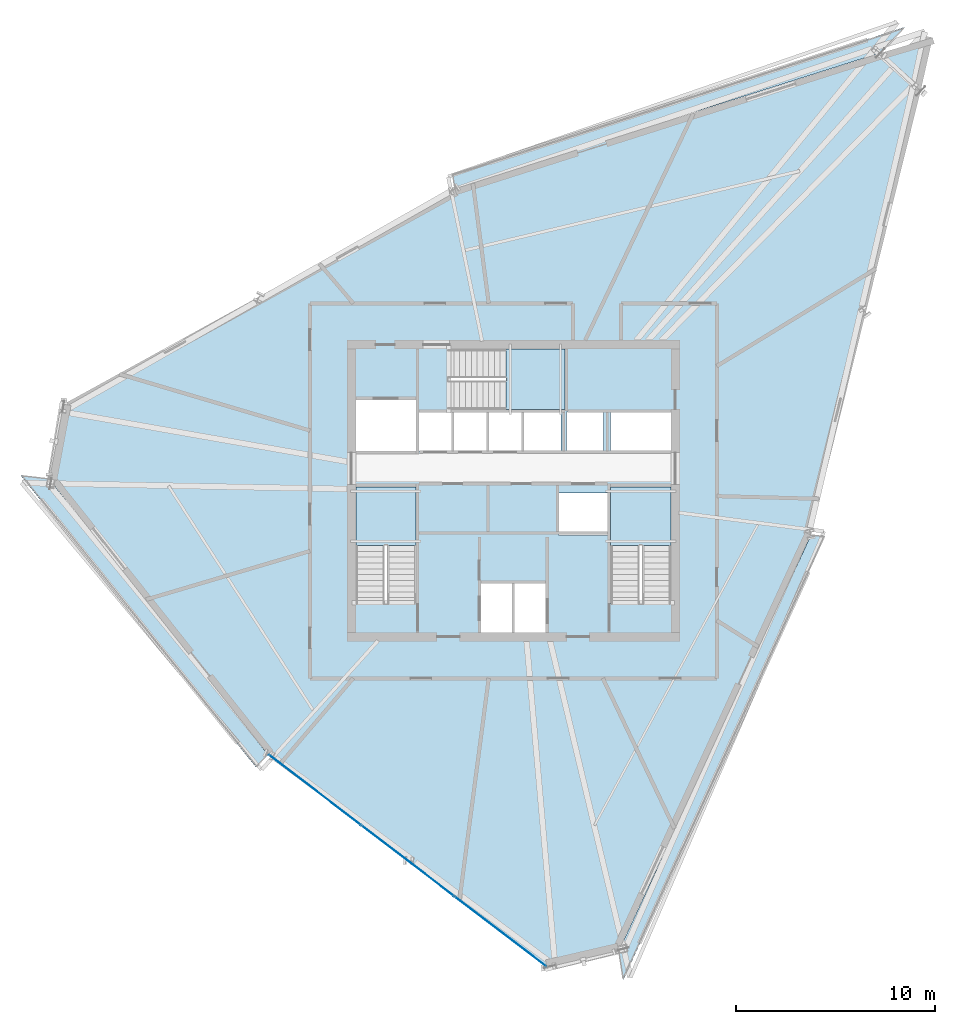
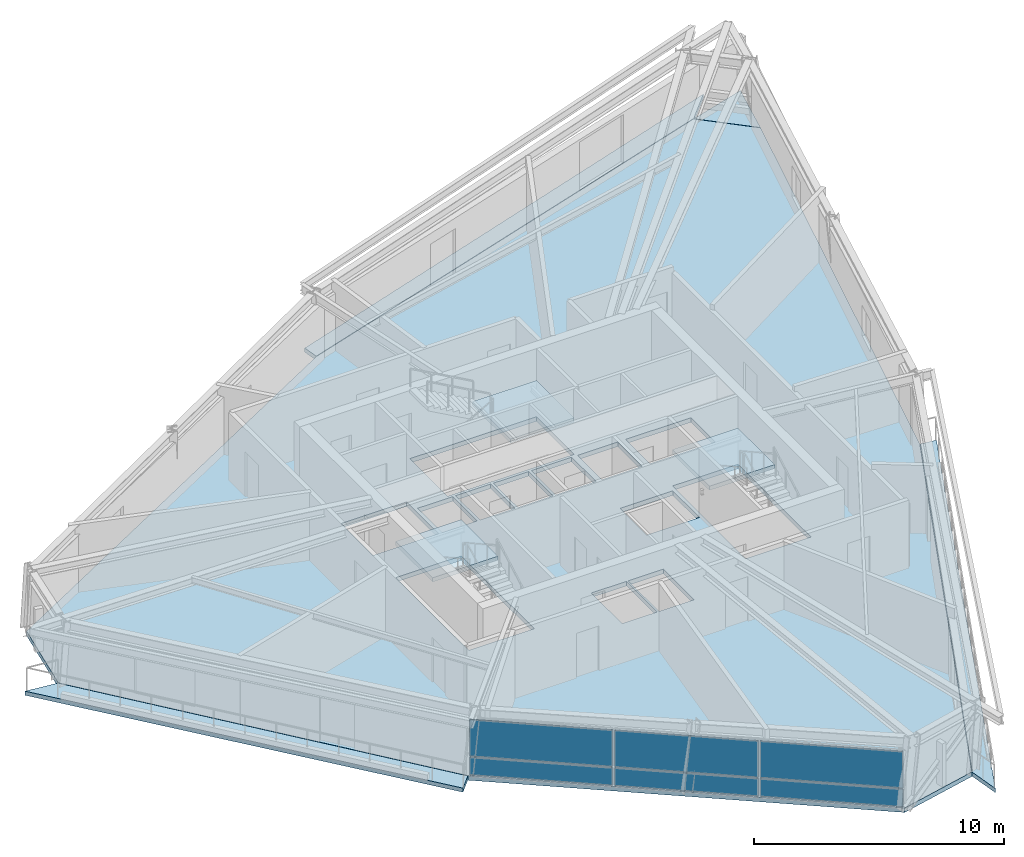
# One storey, part 5 of 13: 8 slabs, 6 plates, 4 elements without a shape of their own.
"""IFC4 building model written with IfcOpenShell, lengths in metres."""

from ifc_helpers import new_model, si_unit, direction, frame, origin, origin_2d, place, context, subcontext, project, spatial, polyline, rectangle, outline, extrude, source, transform, mapped, material, layer, layer_set, type_object, element, aggregate, save


model = new_model("IFC4")

# Units and contexts
model_context = context("Model", 3, precision=1e-05, world=origin(), true_north=direction((0.0, 1.0)))
body_context = subcontext(model_context, "Body", "Model", "MODEL_VIEW")
ifc_project = project(units=[si_unit("LENGTHUNIT", "METRE"), si_unit("AREAUNIT", "SQUARE_METRE"), si_unit("VOLUMEUNIT", "CUBIC_METRE"), si_unit("PLANEANGLEUNIT", "RADIAN"), si_unit("MASSUNIT", "GRAM", prefix="KILO")], contexts=[model_context])

# Site, building, storey
site_placement = place(None, origin())
site = spatial("IfcSite", under=ifc_project, at=site_placement, CompositionType="ELEMENT")
building_placement = place(site_placement, origin())
building = spatial("IfcBuilding", under=site, at=building_placement, Name="Olszyna Solenne Hotel", CompositionType="ELEMENT")
storey_placement = place(building_placement, frame((0.0, 0.0, 227.35009765625)))
storey = spatial("IfcBuildingStorey", under=building, at=storey_placement, Name="L60", CompositionType="ELEMENT", Elevation=227.35009765625)

# Stair, slab
ifc_material_1 = material(Name="Concrete C40/50", Category="concrete")
stair_type = type_object("IfcStairType", Name="STR-C1", PredefinedType="TWO_QUARTER_WINDING_STAIR", material=ifc_material_1)
stair_1_placement = place(storey_placement, origin())
stair_1 = element("IfcStair", 1, at=stair_1_placement, inside=storey, type_object=stair_type, Name="L60 ST1", PredefinedType="TWO_QUARTER_WINDING_STAIR")
ifc_layer_1 = layer(ifc_material_1, 0.18994140625, Name="Concrete C40/50")
ifc_layer_set_1 = layer_set([ifc_layer_1], Name="Concrete C40/50")
slab_type_1 = type_object("IfcSlabType", Name="SL-LN190", PredefinedType="LANDING", material=ifc_layer_set_1)
slab_1_placement = place(storey_placement, frame((0.0, 0.0, 1.574951171875)))
slab_1 = element("IfcSlab", 2, at=slab_1_placement, type_object=slab_type_1, Name="ST1 landing 1", PredefinedType="LANDING", context=body_context, shape_type="SweptSolid", body=[
    extrude(outline(polyline([(33.1201171875, 23.85009765625), (33.1201171875, 26.800048828125), (30.10009765625, 26.800048828125), (30.10009765625, 23.85009765625), (33.1201171875, 23.85009765625)])), origin(), (0.0, 0.0, 1.0), 0.199951171875),
])
aggregate(stair_1, [slab_1])

stair_2_placement = place(storey_placement, origin())
stair_2 = element("IfcStair", 3, at=stair_2_placement, inside=storey, type_object=stair_type, Name="L60 ST2", PredefinedType="TWO_QUARTER_WINDING_STAIR")
slab_2_placement = place(storey_placement, frame((0.0, 0.0, 1.574951171875)))
slab_2 = element("IfcSlab", 4, at=slab_2_placement, type_object=slab_type_1, Name="ST2 landing 1", PredefinedType="LANDING", context=body_context, shape_type="SweptSolid", body=[
    extrude(outline(polyline([(45.89990234375, 23.85009765625), (45.89990234375, 26.800048828125), (42.8798828125, 26.800048828125), (42.8798828125, 23.85009765625), (45.89990234375, 23.85009765625)])), origin(), (0.0, 0.0, 1.0), 0.199951171875),
])
aggregate(stair_2, [slab_2])

stair_3_placement = place(storey_placement, origin())
stair_3 = element("IfcStair", 5, at=stair_3_placement, inside=storey, type_object=stair_type, Name="L60 ST3", PredefinedType="TWO_QUARTER_WINDING_STAIR")
slab_3_placement = place(storey_placement, frame((0.0, 0.0, 1.574951171875)))
slab_3 = element("IfcSlab", 6, at=slab_3_placement, type_object=slab_type_1, Name="ST3 landing 1", PredefinedType="LANDING", context=body_context, shape_type="SweptSolid", body=[
    extrude(outline(polyline([(37.6298828125, 30.679931640625), (40.580078125, 30.679931640625), (40.580078125, 33.699951171875), (37.6298828125, 33.699951171875), (37.6298828125, 30.679931640625)])), origin(), (0.0, 0.0, 1.0), 0.199951171875),
])
aggregate(stair_3, [slab_3])

# Slabs
ifc_material_2 = material(Name="Precast concrete C45/55", Category="concrete")
ifc_layer_2 = layer(ifc_material_2, 0.199951171875, Name="Precast concrete C45/55")
ifc_layer_set_2 = layer_set([ifc_layer_2], Name="Precast concrete C45/55")
slab_type_2 = type_object("IfcSlabType", Name="SL-LOG200", PredefinedType="FLOOR", material=ifc_layer_set_2)
slab_4_placement = place(storey_placement, frame((0.0, 0.0, -0.2001953125)))
element("IfcSlab", 7, at=slab_4_placement, inside=storey, type_object=slab_type_2, Name="Exterior loggia balcony slab SL-L60-LG1", PredefinedType="FLOOR", context=body_context, shape_type="SweptSolid", body=[
    extrude(outline(polyline([(35.065673828125, 41.759033203125), (56.403564453125, 48.557861328125), (56.40380859375, 48.557861328125), (56.42822265625, 48.565185546875), (57.617919921875, 49.8505859375), (34.951904296875, 42.481689453125), (35.065673828125, 41.759033203125)])), origin(), (0.0, 0.0, 1.0), 0.2001953125),
])
slab_5_placement = place(storey_placement, frame((0.0, 0.0, -0.2001953125)))
element("IfcSlab", 8, at=slab_5_placement, inside=storey, type_object=slab_type_2, Name="Exterior loggia balcony slab SL-L60-LG2", PredefinedType="FLOOR", context=body_context, shape_type="SweptSolid", body=[
    extrude(outline(polyline([(25.686279296875, 13.385986328125), (25.685546875, 13.38671875), (25.684814453125, 13.3876953125), (14.73388671875, 27.1806640625), (14.733154296875, 27.181884765625), (14.732421875, 27.18310546875), (14.731689453125, 27.184326171875), (14.731201171875, 27.185791015625), (14.73095703125, 27.18701171875), (14.730712890625, 27.1884765625), (14.730712890625, 27.18994140625), (14.730712890625, 27.19140625), (14.730712890625, 27.191650390625), (13.3037109375, 27.357666015625), (25.091796875, 12.743408203125), (25.686279296875, 13.385986328125)])), origin(), (0.0, 0.0, 1.0), 0.2001953125),
])
slab_6_placement = place(storey_placement, frame((0.0, 0.0, -0.2001953125)))
element("IfcSlab", 9, at=slab_6_placement, inside=storey, type_object=slab_type_2, Name="Exterior loggia balcony slab SL-L60-LG3", PredefinedType="FLOOR", context=body_context, shape_type="SweptSolid", body=[
    extrude(outline(polyline([(52.92041015625, 24.3818359375), (52.919921875, 24.3798828125), (52.91943359375, 24.37841796875), (52.9189453125, 24.377197265625), (43.293212890625, 3.541015625), (43.29248046875, 3.53955078125), (43.29150390625, 3.538330078125), (43.29052734375, 3.537109375), (43.28955078125, 3.5361328125), (43.288330078125, 3.53515625), (43.287109375, 3.5341796875), (43.285888671875, 3.53369140625), (43.284423828125, 3.532958984375), (43.282958984375, 3.53271484375), (43.28173828125, 3.5322265625), (43.511962890625, 2.072265625), (53.626220703125, 24.299560546875), (52.92041015625, 24.3818359375)])), origin(), (0.0, 0.0, 1.0), 0.2001953125),
])
ifc_material_3 = material(Name="Concrete C50/60", Category="concrete")
ifc_layer_3 = layer(ifc_material_3, 0.219970703125, Name="Concrete C50/60")
ifc_layer_set_3 = layer_set([ifc_layer_3], Name="Concrete C50/60")
slab_type_3 = type_object("IfcSlabType", Name="SL-TW225", PredefinedType="FLOOR", material=ifc_layer_set_3)
slab_7_placement = place(storey_placement, frame((0.0, 0.0, -0.22021484375)))
element("IfcSlab", 10, at=slab_7_placement, inside=storey, type_object=slab_type_3, Name="Floor slab SL-TW225 SL-L60-01", PredefinedType="FLOOR", context=body_context, shape_type="SweptSolid", body=[
    extrude(outline(polyline([(58.421142578125, 46.6630859375), (56.408203125, 48.54345703125), (35.068115234375, 41.744140625), (15.44775390625, 30.9423828125), (14.74560546875, 27.18994140625), (25.696533203125, 13.39697265625), (39.69775390625, 2.713623046875), (43.279541015625, 3.547119140625), (52.9052734375, 24.383544921875), (58.421142578125, 46.6630859375)]), holes=[polyline([(30.10009765625, 20.949951171875), (33.1201171875, 20.949951171875), (33.1201171875, 26.800048828125), (30.10009765625, 26.800048828125), (30.10009765625, 20.949951171875)]), polyline([(42.8798828125, 20.949951171875), (45.89990234375, 20.949951171875), (45.89990234375, 26.800048828125), (42.8798828125, 26.800048828125), (42.8798828125, 20.949951171875)]), polyline([(34.72998046875, 30.679931640625), (40.580078125, 30.679931640625), (40.580078125, 33.699951171875), (34.72998046875, 33.699951171875), (34.72998046875, 30.679931640625)]), polyline([(36.340087890625, 19.5), (37.9599609375, 19.5), (37.9599609375, 21.9599609375), (36.340087890625, 21.9599609375), (36.340087890625, 19.5)]), polyline([(38.0400390625, 19.5), (39.659912109375, 19.5), (39.659912109375, 21.9599609375), (38.0400390625, 21.9599609375), (38.0400390625, 19.5)]), polyline([(30.10009765625, 28.60009765625), (33.1201171875, 28.60009765625), (33.1201171875, 31.159912109375), (30.10009765625, 31.159912109375), (30.10009765625, 28.60009765625)]), polyline([(40.280029296875, 24.360107421875), (42.719970703125, 24.360107421875), (42.719970703125, 26.5), (40.280029296875, 26.5), (40.280029296875, 24.360107421875)]), polyline([(33.280029296875, 28.60009765625), (34.89990234375, 28.60009765625), (34.89990234375, 30.550048828125), (33.280029296875, 30.550048828125), (33.280029296875, 28.60009765625)]), polyline([(35.030029296875, 28.60009765625), (36.64990234375, 28.60009765625), (36.64990234375, 30.550048828125), (35.030029296875, 30.550048828125), (35.030029296875, 28.60009765625)]), polyline([(36.780029296875, 28.60009765625), (38.39990234375, 28.60009765625), (38.39990234375, 30.550048828125), (36.780029296875, 30.550048828125), (36.780029296875, 28.60009765625)]), polyline([(38.530029296875, 28.60009765625), (40.389892578125, 28.60009765625), (40.389892578125, 30.550048828125), (38.530029296875, 30.550048828125), (38.530029296875, 28.60009765625)]), polyline([(40.659912109375, 28.60009765625), (42.52001953125, 28.60009765625), (42.52001953125, 30.550048828125), (40.659912109375, 30.550048828125), (40.659912109375, 28.60009765625)]), polyline([(42.8798828125, 28.60009765625), (45.89990234375, 28.60009765625), (45.89990234375, 30.550048828125), (42.8798828125, 30.550048828125), (42.8798828125, 28.60009765625)])]), origin(), (0.0, 0.0, 1.0), 0.22021484375),
])
slab_8_placement = place(storey_placement, frame((0.0, 0.0, -0.22021484375)))
element("IfcSlab", 11, at=slab_8_placement, inside=storey, type_object=slab_type_3, Name="Faceted glass-prism floor slab SL-L60-PR", PredefinedType="FLOOR", context=body_context, shape_type="SweptSolid", body=[
    extrude(outline(polyline([(56.419189453125, 48.546875), (58.423583984375, 46.674560546875), (59.018798828125, 49.32080078125), (56.419189453125, 48.546875)])), origin(), (0.0, 0.0, 1.0), 0.22021484375),
])

# Curtain wall, plates
ifc_material_4 = material(Name="Anodised bronze aluminium", Category="aluminium")
curtain_wall_type = type_object("IfcCurtainWallType", Name="CW-SYS-4", PredefinedType="NOTDEFINED", material=ifc_material_4)
curtain_wall_placement = place(storey_placement, origin())
curtain_wall = element("IfcCurtainWall", 12, at=curtain_wall_placement, inside=storey, type_object=curtain_wall_type, Name="Unitised curtain wall CW-SYS-4 CW-L60-01", PredefinedType="NOTDEFINED")
ifc_material_5 = material(Name="Terracotta cladding", Category="masonry")
plate_type_1 = type_object("IfcPlateType", Name="PN-SP1", PredefinedType="CURTAIN_PANEL", material=ifc_material_5)
shared_shape_1 = source(origin(), body_context, "Body", "SweptSolid", [
    extrude(rectangle(XDim=5.77294921875, YDim=0.035888671875, at=origin_2d()), origin(), (0.0, 0.0, 1.0), 0.8525390625),
])
plate_1_placement = place(storey_placement, frame((28.04296875, 11.606689453125, 0.06494140625), z_axis=(0.0, 0.0, 1.0), x_axis=(0.79499851702, -0.606611373069, 0.0)))
plate_1 = element("IfcPlate", 13, at=plate_1_placement, type_object=plate_type_1, Name="Curtain-wall panel PN-SP1 CP-L60-01-01", PredefinedType="CURTAIN_PANEL", context=body_context, shape_type="MappedRepresentation", body=[
    mapped(shared_shape_1, transform((0.0, 0.0, 0.0), x_axis=(1.0, 0.0, 0.0), y_axis=(0.0, 1.0, 0.0), z_axis=(0.0, 0.0, 1.0), scale=1.0)),
])
plate_2_placement = place(storey_placement, frame((37.351318359375, 4.50390625, 0.06494140625), z_axis=(0.0, 0.0, 1.0), x_axis=(0.79499851702, -0.606611373069, 0.0)))
plate_2 = element("IfcPlate", 14, at=plate_2_placement, type_object=plate_type_1, Name="Curtain-wall panel PN-SP1 CP-L60-01-05", PredefinedType="CURTAIN_PANEL", context=body_context, shape_type="MappedRepresentation", body=[
    mapped(shared_shape_1, transform((0.0, 0.0, 0.0), x_axis=(1.0, 0.0, 0.0), y_axis=(0.0, 1.0, 0.0), z_axis=(0.0, 0.0, 1.0), scale=1.0)),
])
ifc_material_6 = material(Name="Low-E triple glazing", Category="glass")
plate_type_2 = type_object("IfcPlateType", Name="PN-GL1", PredefinedType="CURTAIN_PANEL", material=ifc_material_6)
shared_shape_2 = source(origin(), body_context, "Body", "SweptSolid", [
    extrude(rectangle(XDim=5.77294921875, YDim=0.035888671875, at=origin_2d()), origin(), (0.0, 0.0, 1.0), 1.7744140625),
])
plate_3_placement = place(storey_placement, frame((28.04296875, 11.606689453125, 0.982421875), z_axis=(0.0, 0.0, 1.0), x_axis=(0.79499851702, -0.606611373069, 0.0)))
plate_3 = element("IfcPlate", 15, at=plate_3_placement, type_object=plate_type_2, Name="Curtain-wall panel PN-GL1 CP-L60-01-02", PredefinedType="CURTAIN_PANEL", context=body_context, shape_type="MappedRepresentation", body=[
    mapped(shared_shape_2, transform((0.0, 0.0, 0.0), x_axis=(1.0, 0.0, 0.0), y_axis=(0.0, 1.0, 0.0), z_axis=(0.0, 0.0, 1.0), scale=1.0)),
])
plate_4_placement = place(storey_placement, frame((37.351318359375, 4.50390625, 0.982421875), z_axis=(0.0, 0.0, 1.0), x_axis=(0.79499851702, -0.606611373069, 0.0)))
plate_4 = element("IfcPlate", 16, at=plate_4_placement, type_object=plate_type_2, Name="Curtain-wall panel PN-GL1 CP-L60-01-06", PredefinedType="CURTAIN_PANEL", context=body_context, shape_type="MappedRepresentation", body=[
    mapped(shared_shape_2, transform((0.0, 0.0, 0.0), x_axis=(1.0, 0.0, 0.0), y_axis=(0.0, 1.0, 0.0), z_axis=(0.0, 0.0, 1.0), scale=1.0)),
])
shared_shape_3 = source(origin(), body_context, "Body", "SweptSolid", [
    extrude(rectangle(XDim=5.805419921875, YDim=0.035888671875, at=origin_2d()), origin(), (0.0, 0.0, 1.0), 0.8525390625),
])
plate_5_placement = place(storey_placement, frame((32.697021484375, 8.055419921875, 0.06494140625), z_axis=(0.0, 0.0, 1.0), x_axis=(0.79499851702, -0.606611373069, 0.0)))
plate_5 = element("IfcPlate", 17, at=plate_5_placement, type_object=plate_type_1, Name="Curtain-wall panel PN-SP1 CP-L60-01-03", PredefinedType="CURTAIN_PANEL", context=body_context, shape_type="MappedRepresentation", body=[
    mapped(shared_shape_3, transform((0.0, 0.0, 0.0), x_axis=(1.0, 0.0, 0.0), y_axis=(0.0, 1.0, 0.0), z_axis=(0.0, 0.0, 1.0), scale=1.0)),
])
shared_shape_4 = source(origin(), body_context, "Body", "SweptSolid", [
    extrude(rectangle(XDim=5.805419921875, YDim=0.035888671875, at=origin_2d()), origin(), (0.0, 0.0, 1.0), 1.7744140625),
])
plate_6_placement = place(storey_placement, frame((32.697021484375, 8.055419921875, 0.982421875), z_axis=(0.0, 0.0, 1.0), x_axis=(0.79499851702, -0.606611373069, 0.0)))
plate_6 = element("IfcPlate", 18, at=plate_6_placement, type_object=plate_type_2, Name="Curtain-wall panel PN-GL1 CP-L60-01-04", PredefinedType="CURTAIN_PANEL", context=body_context, shape_type="MappedRepresentation", body=[
    mapped(shared_shape_4, transform((0.0, 0.0, 0.0), x_axis=(1.0, 0.0, 0.0), y_axis=(0.0, 1.0, 0.0), z_axis=(0.0, 0.0, 1.0), scale=1.0)),
])
aggregate(curtain_wall, [plate_1, plate_3, plate_5, plate_6, plate_2, plate_4])

save(model, "model.ifc")
